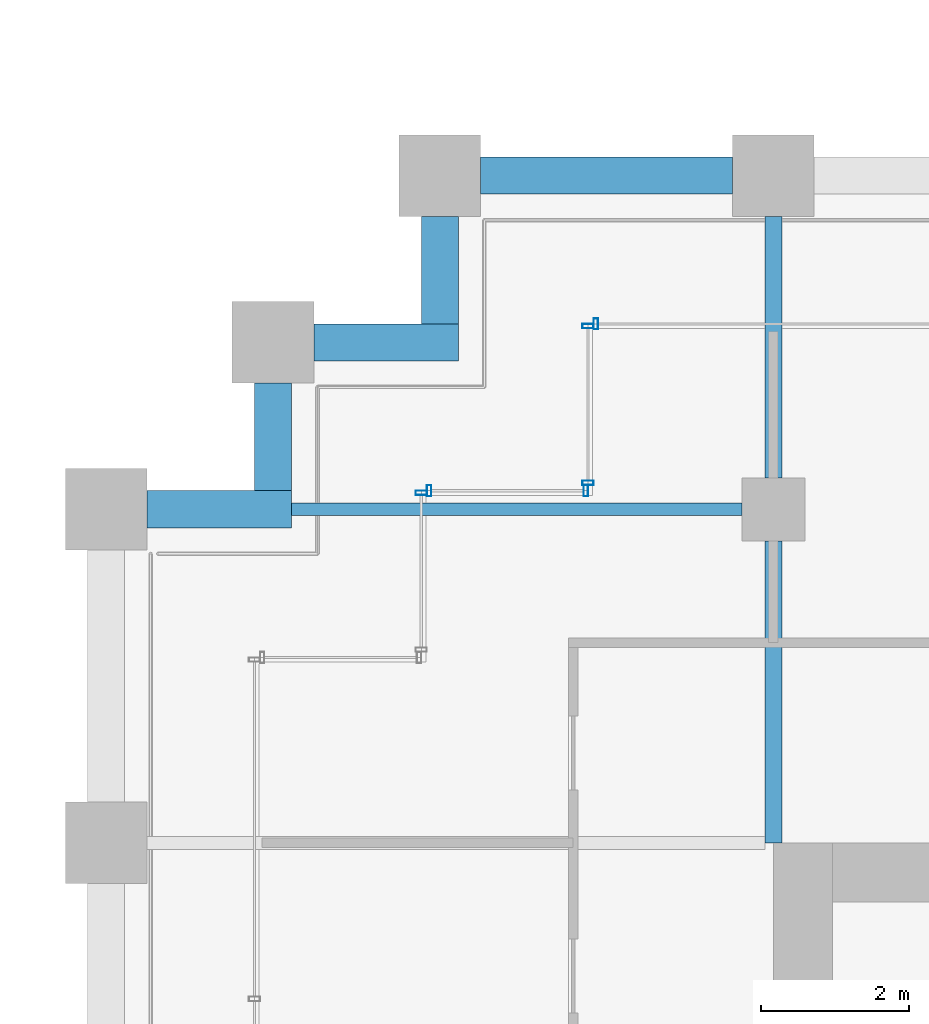
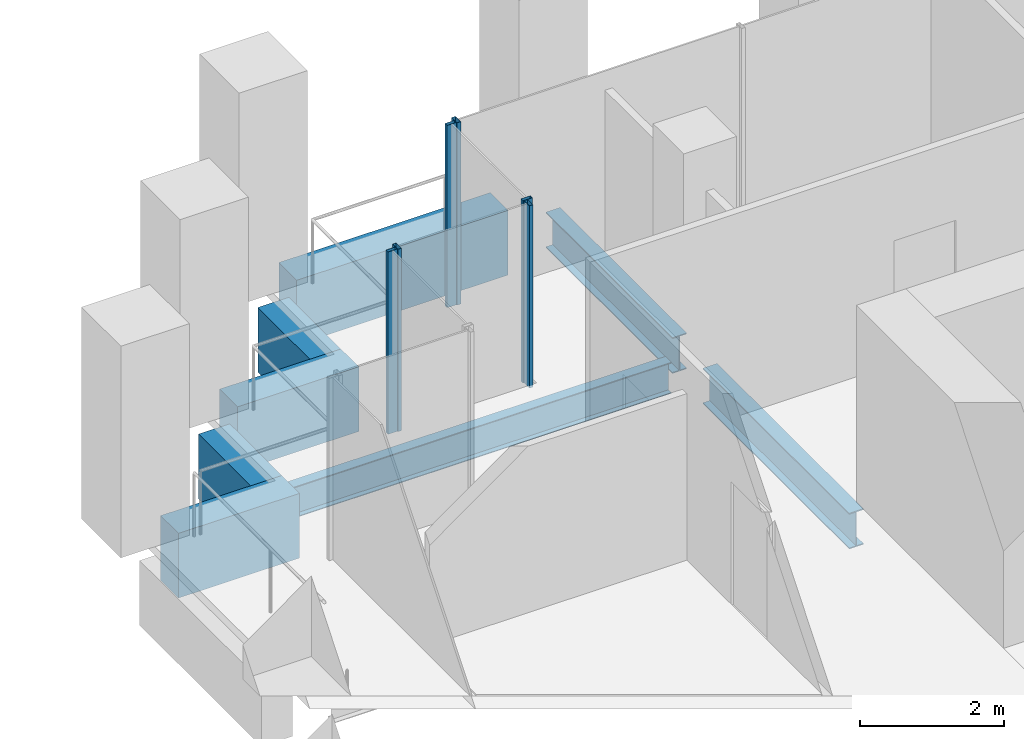
# One storey, part 41 of 56: 8 beams, 6 members, 4 elements without a shape of their own.
"""IFC4 building model written with IfcOpenShell, lengths in metres."""

from ifc_helpers import new_model, si_unit, direction, frame, origin, origin_2d, place, context, subcontext, project, spatial, rectangle, hollow_rectangle, i_section, extrude, material, material_profile, profile_set, type_object, element, aggregate, save


model = new_model("IFC4")

# Units and contexts
model_context = context("Model", 3, precision=1e-05, world=origin(), true_north=direction((0.0, 1.0)))
body_context = subcontext(model_context, "Body", "Model", "MODEL_VIEW")
ifc_project = project(units=[si_unit("LENGTHUNIT", "METRE"), si_unit("AREAUNIT", "SQUARE_METRE"), si_unit("VOLUMEUNIT", "CUBIC_METRE"), si_unit("PLANEANGLEUNIT", "RADIAN"), si_unit("MASSUNIT", "GRAM", prefix="KILO")], contexts=[model_context])

# Site, building, storey
site_placement = place(None, origin())
site = spatial("IfcSite", under=ifc_project, at=site_placement, CompositionType="ELEMENT")
building_placement = place(site_placement, origin())
building = spatial("IfcBuilding", under=site, at=building_placement, Name="Altepetl Exchange Towers", CompositionType="ELEMENT")
storey_placement = place(building_placement, frame((0.0, 0.0, 54.60009765625)))
storey = spatial("IfcBuildingStorey", under=building, at=storey_placement, Name="L12", CompositionType="ELEMENT", Elevation=54.60009765625)

# Beams
ifc_material_1 = material(Name="Steel S355", Category="steel")
ifc_material_profile_1 = material_profile(ifc_material_1, i_section(OverallWidth=0.166015625, OverallDepth=0.529052734375, WebThickness=0.009765625, FlangeThickness=0.013671875, at=origin_2d()), Name="W21X50")
ifc_profile_set_1 = profile_set([ifc_material_profile_1], Name="Steel S355")
beam_type_1 = type_object("IfcBeamType", Name="Floor beam W21X50", PredefinedType="BEAM", material=ifc_profile_set_1)
beam_1_placement = place(storey_placement, frame((97.0, 54.0, -0.41455078125), z_axis=(1.0, 0.0, 0.0), x_axis=(0.0, 1.0, 0.0)))
element("IfcBeam", 1, at=beam_1_placement, inside=storey, type_object=beam_type_1, Name="bm:B:L12:015", PredefinedType="BEAM", context=body_context, shape_type="SweptSolid", body=[
    extrude(i_section(OverallWidth=0.166015625, OverallDepth=0.529052734375, WebThickness=0.009765625, FlangeThickness=0.013671875, at=origin_2d()), origin(), (0.0, 0.0, 1.0), 6.074951171875),
])
ifc_material_profile_2 = material_profile(ifc_material_1, i_section(OverallWidth=0.22802734375, OverallDepth=0.60791015625, WebThickness=0.01123046875, FlangeThickness=0.017333984375, at=origin_2d()), Name="W24X76")
ifc_profile_set_2 = profile_set([ifc_material_profile_2], Name="Steel S355")
beam_type_2 = type_object("IfcBeamType", Name="Girder W24X76", PredefinedType="BEAM", material=ifc_profile_set_2)
beam_2_placement = place(storey_placement, frame((103.5, 57.949951171875, -0.4541015625), z_axis=(0.0, -1.0, 0.0), x_axis=(1.0, 0.0, 0.0)))
element("IfcBeam", 2, at=beam_2_placement, inside=storey, type_object=beam_type_2, Name="gd:B:L12:002", PredefinedType="BEAM", context=body_context, shape_type="SweptSolid", body=[
    extrude(i_section(OverallWidth=0.22802734375, OverallDepth=0.60791015625, WebThickness=0.01123046875, FlangeThickness=0.017333984375, at=origin_2d()), origin(), (0.0, 0.0, 1.0), 3.52490234375),
])
beam_3_placement = place(storey_placement, frame((103.5, 53.574951171875, -0.4541015625), z_axis=(0.0, -1.0, 0.0), x_axis=(1.0, 0.0, 0.0)))
element("IfcBeam", 3, at=beam_3_placement, inside=storey, type_object=beam_type_2, Name="gd:B:L12:003", PredefinedType="BEAM", context=body_context, shape_type="SweptSolid", body=[
    extrude(i_section(OverallWidth=0.22802734375, OverallDepth=0.60791015625, WebThickness=0.01123046875, FlangeThickness=0.017333984375, at=origin_2d()), origin(), (0.0, 0.0, 1.0), 4.074951171875),
])

# Curtain wall, member
ifc_material_2 = material(Name="Aluminium 6063-T6 glazing", Category="aluminium")
curtain_wall_type = type_object("IfcCurtainWallType", Name="Loggia glazing system", PredefinedType="NOTDEFINED", material=ifc_material_2)
curtain_wall_1_placement = place(storey_placement, origin())
curtain_wall_1 = element("IfcCurtainWall", 4, at=curtain_wall_1_placement, inside=storey, type_object=curtain_wall_type, Name="CW1 run", PredefinedType="NOTDEFINED")
ifc_material_3 = material(Name="Aluminium 6063-T6", Category="aluminium")
ifc_material_profile_3 = material_profile(ifc_material_3, hollow_rectangle(XDim=0.06005859375, YDim=0.14990234375, WallThickness=0.0029296875, at=origin_2d()), Name="Mullion 60x150 aluminium")
ifc_profile_set_3 = profile_set([ifc_material_profile_3], Name="Aluminium 6063-T6")
member_type = type_object("IfcMemberType", Name="Mullion 60x150 aluminium", PredefinedType="MULLION", material=ifc_profile_set_3)
member_1_placement = place(storey_placement, frame((101.10498046875, 56.5, 0.0), z_axis=(0.0, 0.0, 1.0), x_axis=(-1.0, 0.0, 0.0)))
member_1 = element("IfcMember", 5, at=member_1_placement, type_object=member_type, Name="MU1 mullion", PredefinedType="MULLION", context=body_context, shape_type="SweptSolid", body=[
    extrude(hollow_rectangle(XDim=0.06005859375, YDim=0.14990234375, WallThickness=0.0029296875, at=origin_2d()), origin(), (0.0, 0.0, 1.0), 3.099853515625),
])
aggregate(curtain_wall_1, [member_1])

# Curtain wall, members
curtain_wall_2_placement = place(storey_placement, origin())
curtain_wall_2 = element("IfcCurtainWall", 6, at=curtain_wall_2_placement, inside=storey, type_object=curtain_wall_type, Name="CW1 run", PredefinedType="NOTDEFINED")
member_2_placement = place(storey_placement, frame((101.0, 56.469970703125, 0.0), z_axis=(0.0, 0.0, 1.0), x_axis=(0.0, -1.0, 0.0)))
member_2 = element("IfcMember", 7, at=member_2_placement, type_object=member_type, Name="MU1 mullion", PredefinedType="MULLION", context=body_context, shape_type="SweptSolid", body=[
    extrude(hollow_rectangle(XDim=0.06005859375, YDim=0.14990234375, WallThickness=0.0029296875, at=origin_2d()), origin(), (0.0, 0.0, 1.0), 3.099853515625),
])
member_3_placement = place(storey_placement, frame((101.0, 54.35498046875, 0.0), z_axis=(0.0, 0.0, 1.0), x_axis=(0.0, -1.0, 0.0)))
member_3 = element("IfcMember", 8, at=member_3_placement, type_object=member_type, Name="MU1 mullion", PredefinedType="MULLION", context=body_context, shape_type="SweptSolid", body=[
    extrude(hollow_rectangle(XDim=0.06005859375, YDim=0.14990234375, WallThickness=0.0029296875, at=origin_2d()), origin(), (0.0, 0.0, 1.0), 3.099853515625),
])
aggregate(curtain_wall_2, [member_2, member_3])

curtain_wall_3_placement = place(storey_placement, origin())
curtain_wall_3 = element("IfcCurtainWall", 9, at=curtain_wall_3_placement, inside=storey, type_object=curtain_wall_type, Name="CW1 run", PredefinedType="NOTDEFINED")
member_4_placement = place(storey_placement, frame((100.969970703125, 54.25, 0.0), z_axis=(0.0, 0.0, 1.0), x_axis=(-1.0, 0.0, 0.0)))
member_4 = element("IfcMember", 10, at=member_4_placement, type_object=member_type, Name="MU1 mullion", PredefinedType="MULLION", context=body_context, shape_type="SweptSolid", body=[
    extrude(hollow_rectangle(XDim=0.06005859375, YDim=0.14990234375, WallThickness=0.0029296875, at=origin_2d()), origin(), (0.0, 0.0, 1.0), 3.099853515625),
])
member_5_placement = place(storey_placement, frame((98.85498046875, 54.25, 0.0), z_axis=(0.0, 0.0, 1.0), x_axis=(-1.0, 0.0, 0.0)))
member_5 = element("IfcMember", 11, at=member_5_placement, type_object=member_type, Name="MU1 mullion", PredefinedType="MULLION", context=body_context, shape_type="SweptSolid", body=[
    extrude(hollow_rectangle(XDim=0.06005859375, YDim=0.14990234375, WallThickness=0.0029296875, at=origin_2d()), origin(), (0.0, 0.0, 1.0), 3.099853515625),
])
aggregate(curtain_wall_3, [member_4, member_5])

# Curtain wall, member
curtain_wall_4_placement = place(storey_placement, origin())
curtain_wall_4 = element("IfcCurtainWall", 12, at=curtain_wall_4_placement, inside=storey, type_object=curtain_wall_type, Name="CW1 run", PredefinedType="NOTDEFINED")
member_6_placement = place(storey_placement, frame((98.75, 54.219970703125, 0.0), z_axis=(0.0, 0.0, 1.0), x_axis=(0.0, -1.0, 0.0)))
member_6 = element("IfcMember", 13, at=member_6_placement, type_object=member_type, Name="MU1 mullion", PredefinedType="MULLION", context=body_context, shape_type="SweptSolid", body=[
    extrude(hollow_rectangle(XDim=0.06005859375, YDim=0.14990234375, WallThickness=0.0029296875, at=origin_2d()), origin(), (0.0, 0.0, 1.0), 3.099853515625),
])
aggregate(curtain_wall_4, [member_6])

# Beams
ifc_material_4 = material(Name="Concrete C50/60 precast with cantera rosa facing", Category="concrete")
ifc_material_profile_4 = material_profile(ifc_material_4, rectangle(XDim=0.5, YDim=1.10009765625, at=origin_2d()), Name="500 x 1100")
ifc_profile_set_4 = profile_set([ifc_material_profile_4], Name="Concrete C50/60 precast with cantera rosa facing")
beam_type_3 = type_object("IfcBeamType", Name="Spandrel beam 500x1100 cantera rosa", PredefinedType="SPANDREL", material=ifc_profile_set_4)
beam_4_placement = place(storey_placement, frame((102.949951171875, 58.5, -0.7001953125), z_axis=(-1.0, 0.0, 0.0), x_axis=(0.0, -1.0, 0.0)))
element("IfcBeam", 14, at=beam_4_placement, inside=storey, type_object=beam_type_3, Name="sp:B:L12:022", PredefinedType="SPANDREL", context=body_context, shape_type="SweptSolid", body=[
    extrude(rectangle(XDim=0.5, YDim=1.10009765625, at=origin_2d()), origin(), (0.0, 0.0, 1.0), 3.39990234375),
])
beam_5_placement = place(storey_placement, frame((99.0, 57.949951171875, -0.7001953125), z_axis=(0.0, -1.0, 0.0), x_axis=(1.0, 0.0, 0.0)))
element("IfcBeam", 15, at=beam_5_placement, inside=storey, type_object=beam_type_3, Name="sp:B:L12:023", PredefinedType="SPANDREL", context=body_context, shape_type="SweptSolid", body=[
    extrude(rectangle(XDim=0.5, YDim=1.10009765625, at=origin_2d()), origin(), (0.0, 0.0, 1.0), 1.449951171875),
])
beam_6_placement = place(storey_placement, frame((99.25, 56.25, -0.7001953125), z_axis=(-1.0, 0.0, 0.0), x_axis=(0.0, -1.0, 0.0)))
element("IfcBeam", 16, at=beam_6_placement, inside=storey, type_object=beam_type_3, Name="sp:B:L12:024", PredefinedType="SPANDREL", context=body_context, shape_type="SweptSolid", body=[
    extrude(rectangle(XDim=0.5, YDim=1.10009765625, at=origin_2d()), origin(), (0.0, 0.0, 1.0), 1.949951171875),
])
beam_7_placement = place(storey_placement, frame((96.75, 55.699951171875, -0.7001953125), z_axis=(0.0, -1.0, 0.0), x_axis=(1.0, 0.0, 0.0)))
element("IfcBeam", 17, at=beam_7_placement, inside=storey, type_object=beam_type_3, Name="sp:B:L12:025", PredefinedType="SPANDREL", context=body_context, shape_type="SweptSolid", body=[
    extrude(rectangle(XDim=0.5, YDim=1.10009765625, at=origin_2d()), origin(), (0.0, 0.0, 1.0), 1.449951171875),
])
beam_8_placement = place(storey_placement, frame((97.0, 54.0, -0.7001953125), z_axis=(-1.0, 0.0, 0.0), x_axis=(0.0, -1.0, 0.0)))
element("IfcBeam", 18, at=beam_8_placement, inside=storey, type_object=beam_type_3, Name="sp:B:L12:026", PredefinedType="SPANDREL", context=body_context, shape_type="SweptSolid", body=[
    extrude(rectangle(XDim=0.5, YDim=1.10009765625, at=origin_2d()), origin(), (0.0, 0.0, 1.0), 1.949951171875),
])

save(model, "model.ifc")
